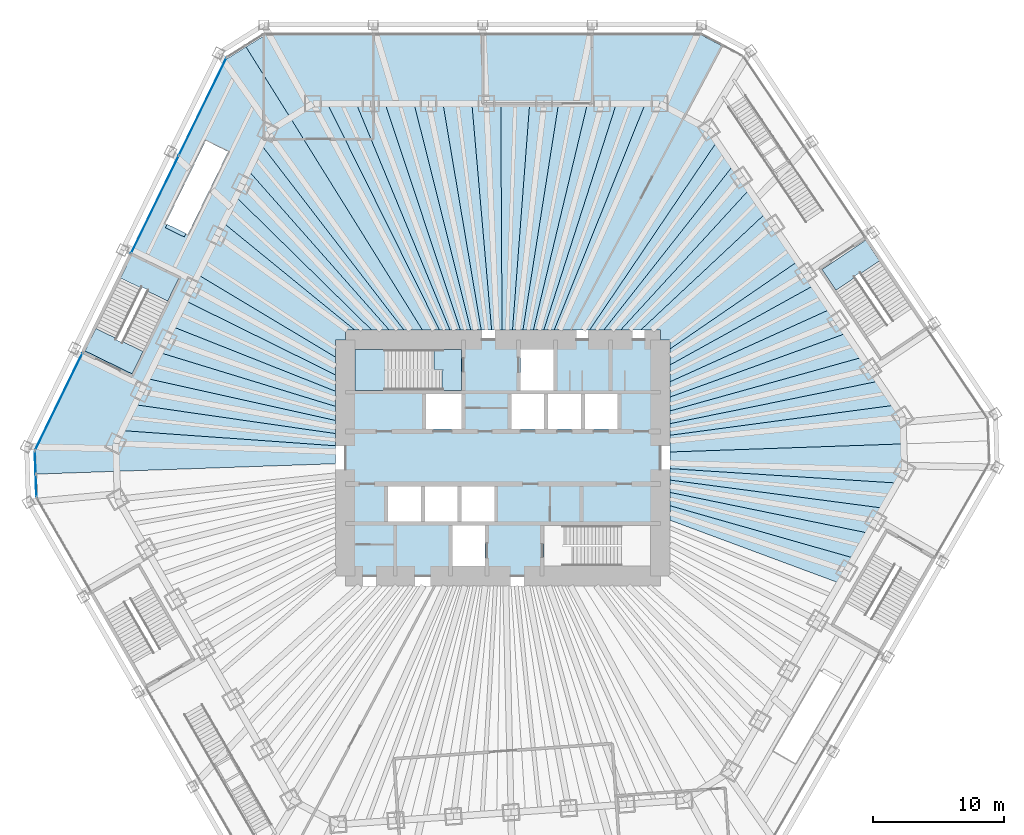
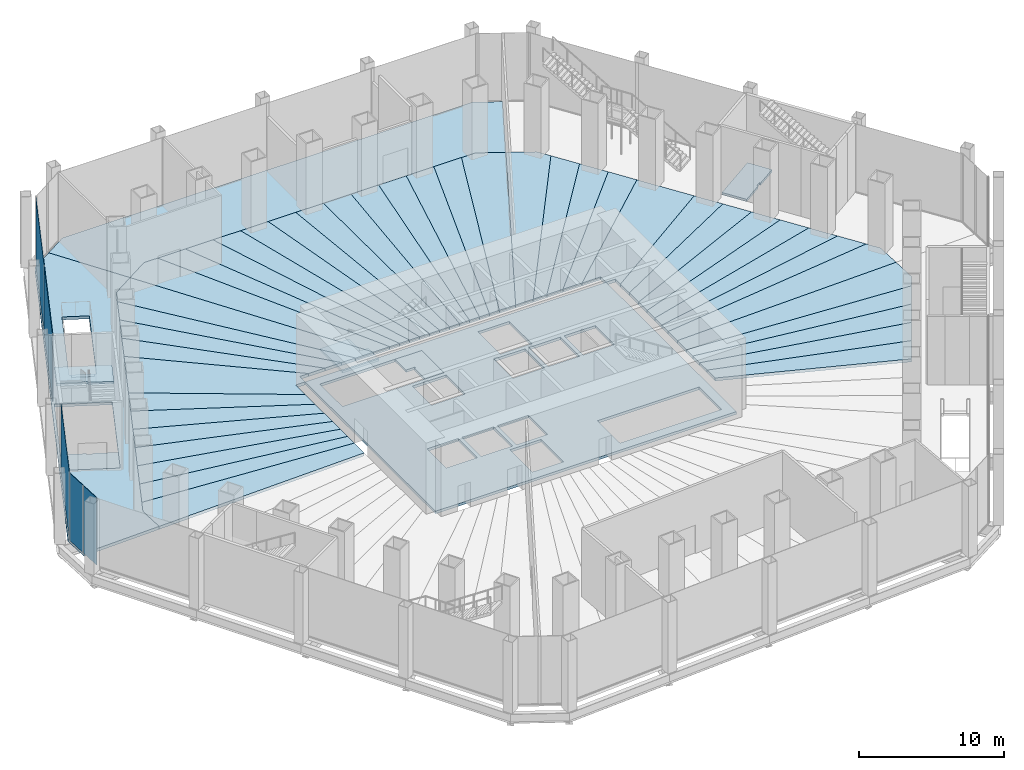
# One storey, part 17 of 23: 51 slabs, 5 plates, 6 elements without a shape of their own.
"""IFC4 building model written with IfcOpenShell, lengths in metres."""

import ifcopenshell
import ifcopenshell.guid

model = None  # the IFC model being written
_history = None  # IfcOwnerHistory: only IFC2X3 demands one
_inside = {}  # id of a spatial element -> (the spatial element, [elements in it])
_under = {}  # id of a project, library or spatial element -> (it, [spatial elements below it])
_declared = {}  # id of a project -> (the project, [libraries it declares])
_typed = {}  # id of a type object -> (the type object, [elements of that type])
_made_of = {}  # id of a material, layer set ... -> (it, [elements and type objects made of it])


def new_model(schema):
    """Start an empty IFC model of exactly this schema.

    Asked for "IFC4X3", IfcOpenShell would pick the latest addendum, in which some entities
    have other attributes; the version numbers below select the first issue.
    IFC2X3 requires an IfcOwnerHistory on every rooted entity: one is made here for all.
    """
    global model, _history
    if schema == "IFC4X3":
        model = ifcopenshell.file(schema_version=(4, 3, 0, 0))
    else:
        model = ifcopenshell.file(schema=schema)
    _inside.clear()
    _under.clear()
    _declared.clear()
    _typed.clear()
    _made_of.clear()
    _history = None
    if model.schema == "IFC2X3":
        org = make("IfcOrganization", Name="unknown")
        user = make(
            "IfcPersonAndOrganization",
            ThePerson=make("IfcPerson", FamilyName="unknown"),
            TheOrganization=org,
        )
        app = make(
            "IfcApplication",
            ApplicationDeveloper=org,
            Version="unknown",
            ApplicationFullName="unknown",
            ApplicationIdentifier="unknown",
        )
        _history = make(
            "IfcOwnerHistory",
            OwningUser=user,
            OwningApplication=app,
            ChangeAction="ADDED",
            CreationDate=0,
        )
    return model


def make(cls, **values):
    """One entity of the class cls with the attributes given. An attribute that is None is left unset."""
    return model.create_entity(
        cls, **{name: value for name, value in values.items() if value is not None}
    )


def rooted(cls, **values):
    """An entity with a GlobalId (a new one), such as an element, a storey or a relation."""
    return make(cls, GlobalId=ifcopenshell.guid.new(), OwnerHistory=_history, **values)


def si_unit(unit_type, name, prefix=None):
    """IfcSIUnit, for example si_unit("LENGTHUNIT", "METRE", prefix="MILLI")."""
    return make("IfcSIUnit", UnitType=unit_type, Prefix=prefix, Name=name)


def assignment(units):
    """IfcUnitAssignment: the units of a project."""
    return None if units is None else make("IfcUnitAssignment", Units=units)


def point(xyz):
    """IfcCartesianPoint."""
    return None if xyz is None else make("IfcCartesianPoint", Coordinates=xyz)


def direction(xyz):
    """IfcDirection."""
    return None if xyz is None else make("IfcDirection", DirectionRatios=xyz)


def frame(location, z_axis=None, x_axis=None):
    """IfcAxis2Placement3D, a coordinate frame: its origin and axes. An axis left out is left unset."""
    return make(
        "IfcAxis2Placement3D",
        Location=point(location),
        Axis=direction(z_axis),
        RefDirection=direction(x_axis),
    )


def frame_2d(location, x_axis=None):
    """IfcAxis2Placement2D, a coordinate frame in the plane: its origin and x axis."""
    return make(
        "IfcAxis2Placement2D", Location=point(location), RefDirection=direction(x_axis)
    )


def origin():
    """The frame at (0, 0, 0) with its axes left unset."""
    return frame((0.0, 0.0, 0.0))


def origin_2d():
    """The frame at (0, 0) in the plane with its x axis left unset."""
    return frame_2d((0.0, 0.0))


def place(relative_to, where):
    """IfcLocalPlacement: puts the frame where relative to a parent placement (None: the world)."""
    return make(
        "IfcLocalPlacement", PlacementRelTo=relative_to, RelativePlacement=where
    )


def context(
    kind, dimensions, precision=None, world=None, true_north=None, identifier=None
):
    """IfcGeometricRepresentationContext, for example the 3D "Model" context."""
    return make(
        "IfcGeometricRepresentationContext",
        ContextIdentifier=identifier,
        ContextType=kind,
        CoordinateSpaceDimension=dimensions,
        Precision=precision,
        WorldCoordinateSystem=world,
        TrueNorth=true_north,
    )


def subcontext(parent, identifier, kind, view, scale=None):
    """IfcGeometricRepresentationSubContext, for example "Body" below "Model"."""
    return make(
        "IfcGeometricRepresentationSubContext",
        ContextIdentifier=identifier,
        ContextType=kind,
        ParentContext=parent,
        TargetScale=scale,
        TargetView=view,
    )


def project(units=None, contexts=None):
    """IfcProject with its units and contexts."""
    return rooted(
        "IfcProject",
        Name="project",
        RepresentationContexts=contexts,
        UnitsInContext=assignment(units),
    )


def spatial(cls, under=None, at=None, **own):
    """A site, building, storey or space (cls), placed at a placement, below another one or the project."""
    s = rooted(cls, ObjectPlacement=at, **own)
    if under is not None:
        _under.setdefault(under.id(), (under, []))[1].append(s)
    return s


def polyline(points):
    """IfcPolyline through the points."""
    return make("IfcPolyline", Points=[point(p) for p in points])


def profile(cls, at=None, kind="AREA", **sizes):
    """A parametric profile (cls). Its sizes go by their IFC names, for example OverallWidth=200.0."""
    return make(cls, ProfileType=kind, Position=at, **sizes)


def rectangle(**sizes):
    """IfcRectangleProfileDef."""
    return profile("IfcRectangleProfileDef", **sizes)


def outline(outer, holes=None, kind="AREA"):
    """IfcArbitraryClosedProfileDef: a profile drawn as a closed curve; with holes, ...WithVoids."""
    if holes is None:
        return make("IfcArbitraryClosedProfileDef", ProfileType=kind, OuterCurve=outer)
    return make(
        "IfcArbitraryProfileDefWithVoids",
        ProfileType=kind,
        OuterCurve=outer,
        InnerCurves=holes,
    )


def extrude(swept, where, along, depth):
    """IfcExtrudedAreaSolid: the profile swept, set in the frame where, extruded along a direction by depth."""
    return make(
        "IfcExtrudedAreaSolid",
        SweptArea=swept,
        Position=where,
        ExtrudedDirection=direction(along),
        Depth=depth,
    )


def shape(context_of_items, identifier, shape_type, items):
    """IfcShapeRepresentation: the items that make up one representation, for example the "Body"."""
    return make(
        "IfcShapeRepresentation",
        ContextOfItems=context_of_items,
        RepresentationIdentifier=identifier,
        RepresentationType=shape_type,
        Items=items,
    )


def material(Name=None, Category=None):
    """IfcMaterial."""
    return make("IfcMaterial", Name=Name, Category=Category)


def layer(
    of_material, thickness, ventilated=None, Name=None, Category=None, Priority=None
):
    """IfcMaterialLayer: one layer of a wall or slab, of a material (None: an air gap)."""
    return make(
        "IfcMaterialLayer",
        Material=of_material,
        LayerThickness=thickness,
        IsVentilated=ventilated,
        Name=Name,
        Category=Category,
        Priority=Priority,
    )


def layer_set(layers, Name=None):
    """IfcMaterialLayerSet."""
    return make("IfcMaterialLayerSet", MaterialLayers=layers, LayerSetName=Name)


def made_of(thing, what):
    """Note that an element or type object is made of a material, layer set ...; save() writes the relation."""
    if what is not None:
        _made_of.setdefault(what.id(), (what, []))[1].append(thing)
    return thing


def type_object(cls, material=None, **own):
    """A type object (cls), such as IfcWallType, which elements share."""
    return made_of(rooted(cls, **own), material)


def element(
    cls,
    number,
    at=None,
    inside=None,
    cuts=None,
    type_object=None,
    material=None,
    context=None,
    identifier="Body",
    shape_type=None,
    held_by="IfcProductDefinitionShape",
    body=None,
    shapes=None,
    **own,
):
    """One element of the class cls, such as IfcWall. Its Tag is "e" and its number.

    at: its placement. inside: the storey or other place that contains it. cuts: it is an
    opening in that element (IfcRelVoidsElement). A single representation is given by context,
    identifier, shape_type and body (its items); several are given by shapes. held_by: the class
    of the entity that holds the representations. save() writes the other relations.
    """
    e = rooted(cls, Tag="e%d" % number, ObjectPlacement=at, **own)
    if body is not None:
        shapes = [shape(context, identifier, shape_type, body)]
    if shapes is not None:
        e.Representation = make(held_by, Representations=shapes)
    if inside is not None:
        _inside.setdefault(inside.id(), (inside, []))[1].append(e)
    if cuts is not None:
        rooted(
            "IfcRelVoidsElement", RelatingBuildingElement=cuts, RelatedOpeningElement=e
        )
    if type_object is not None:
        _typed.setdefault(type_object.id(), (type_object, []))[1].append(e)
    return made_of(e, material)


def aggregate(whole, parts):
    """IfcRelAggregates: a whole, such as a stair, and the parts it consists of."""
    return rooted("IfcRelAggregates", RelatingObject=whole, RelatedObjects=parts)


def save(model, path):
    """Write the relations noted so far, then the file.

    IfcRelAggregates (storeys below a building ...), IfcRelContainedInSpatialStructure (elements
    in a storey), IfcRelDefinesByType, IfcRelAssociatesMaterial and IfcRelDeclares: one each for
    every whole, place, type object, material and project.
    """
    for whole, parts in _under.values():
        aggregate(whole, parts)
    for where, things in _inside.values():
        rooted(
            "IfcRelContainedInSpatialStructure",
            RelatedElements=things,
            RelatingStructure=where,
        )
    for kind, things in _typed.values():
        rooted("IfcRelDefinesByType", RelatedObjects=things, RelatingType=kind)
    for what, things in _made_of.values():
        rooted("IfcRelAssociatesMaterial", RelatedObjects=things, RelatingMaterial=what)
    for by, libraries in _declared.values():
        rooted("IfcRelDeclares", RelatingContext=by, RelatedDefinitions=libraries)
    model.write(path)


model = new_model("IFC4")

# Units and contexts
model_context = context("Model", 3, precision=1e-05, world=origin(), true_north=direction((0.0, 1.0)))
body_context = subcontext(model_context, "Body", "Model", "MODEL_VIEW")
ifc_project = project(units=[si_unit("LENGTHUNIT", "METRE"), si_unit("AREAUNIT", "SQUARE_METRE"), si_unit("VOLUMEUNIT", "CUBIC_METRE"), si_unit("PLANEANGLEUNIT", "RADIAN"), si_unit("MASSUNIT", "GRAM", prefix="KILO")], contexts=[model_context])

# Site, building, storey
site_placement = place(None, origin())
site = spatial("IfcSite", under=ifc_project, at=site_placement, CompositionType="ELEMENT")
building_placement = place(site_placement, origin())
building = spatial("IfcBuilding", under=site, at=building_placement, Name="Qingtian Harvest Tower", CompositionType="ELEMENT")
storey_placement = place(building_placement, frame((0.0, 0.0, 6.0)))
storey = spatial("IfcBuildingStorey", under=building, at=storey_placement, Name="L01", CompositionType="ELEMENT", Elevation=6.0)

# Slabs
ifc_material_1 = material(Name="Concrete fc' 35 MPa", Category="concrete")
ifc_layer_1 = layer(ifc_material_1, 0.25)
ifc_layer_set_1 = layer_set([ifc_layer_1], Name="Composite floor slab FS25 250")
slab_type_1 = type_object("IfcSlabType", Name="Composite floor slab FS25 250", PredefinedType="FLOOR", material=ifc_layer_set_1)
slab_1_placement = place(storey_placement, frame((0.0, 0.0, -0.25)))
element("IfcSlab", 1, at=slab_1_placement, inside=storey, type_object=slab_type_1, Name="Floor slab L01 panel DPN", PredefinedType="FLOOR", context=body_context, shape_type="SweptSolid", body=[
    extrude(outline(polyline([(14.827392578125, 32.39990234375), (16.698486328125, 31.4052734375), (13.8271484375, 26.005126953125), (11.9560546875, 27.0), (-14.471435546875, 27.0), (-16.197509765625, 25.92138671875), (-19.57177734375, 31.321533203125), (-17.845703125, 32.39990234375), (14.827392578125, 32.39990234375)])), origin(), (0.0, 0.0, 1.0), 0.25),
])
slab_2_placement = place(storey_placement, frame((0.0, 0.0, -0.25)))
element("IfcSlab", 2, at=slab_2_placement, inside=storey, type_object=slab_type_1, Name="Floor slab L01 panel DPNW", PredefinedType="FLOOR", context=body_context, shape_type="SweptSolid", body=[
    extrude(outline(polyline([(-19.57177734375, 31.321533203125), (-16.197509765625, 25.92138671875), (-17.923583984375, 24.8427734375), (-29.5087890625, 1.08984375), (-29.434814453125, -1.02783203125), (-35.546875, -1.2412109375), (-35.620849609375, 0.87646484375), (-21.2978515625, 30.242919921875), (-19.57177734375, 31.321533203125)]), holes=[polyline([(-25.583251953125, 17.805908203125), (-25.715087890625, 17.535400390625), (-24.277099609375, 16.833984375), (-24.14501953125, 17.1044921875), (-24.0107421875, 17.037841796875), (-20.937744140625, 23.33837890625), (-22.6455078125, 24.17138671875), (-25.718505859375, 17.870849609375), (-25.583251953125, 17.805908203125)]), polyline([(-31.849609375, 8.15234375), (-28.25439453125, 6.39892578125), (-24.74658203125, 13.5908203125), (-28.341796875, 15.34423828125), (-31.849609375, 8.15234375)])]), origin(), (0.0, 0.0, 1.0), 0.25),
])
slab_3_placement = place(storey_placement, frame((0.0, 0.0, -0.25)))
element("IfcSlab", 3, at=slab_3_placement, inside=storey, type_object=slab_type_1, Name="Floor slab L01 panel D35", PredefinedType="FLOOR", context=body_context, shape_type="SweptSolid", body=[
    extrude(outline(polyline([(12.75, -3.651611328125), (26.764404296875, -7.642822265625), (25.663330078125, -9.550048828125), (12.75, -4.757080078125), (12.75, -3.651611328125)])), origin(), (0.0, 0.0, 1.0), 0.25),
])
slab_4_placement = place(storey_placement, frame((0.0, 0.0, -0.25)))
element("IfcSlab", 4, at=slab_4_placement, inside=storey, type_object=slab_type_1, Name="Floor slab L01 panel D36", PredefinedType="FLOOR", context=body_context, shape_type="SweptSolid", body=[
    extrude(outline(polyline([(12.75, -2.634033203125), (27.865478515625, -5.7353515625), (26.764404296875, -7.642822265625), (12.75, -3.651611328125), (12.75, -2.634033203125)])), origin(), (0.0, 0.0, 1.0), 0.25),
])
slab_5_placement = place(storey_placement, frame((0.0, 0.0, -0.25)))
element("IfcSlab", 5, at=slab_5_placement, inside=storey, type_object=slab_type_1, Name="Floor slab L01 panel D37", PredefinedType="FLOOR", context=body_context, shape_type="SweptSolid", body=[
    extrude(outline(polyline([(12.75, -1.693603515625), (28.966796875, -3.828125), (27.865478515625, -5.7353515625), (12.75, -2.634033203125), (12.75, -1.693603515625)])), origin(), (0.0, 0.0, 1.0), 0.25),
])
slab_6_placement = place(storey_placement, frame((0.0, 0.0, -0.25)))
element("IfcSlab", 6, at=slab_6_placement, inside=storey, type_object=slab_type_1, Name="Floor slab L01 panel D38", PredefinedType="FLOOR", context=body_context, shape_type="SweptSolid", body=[
    extrude(outline(polyline([(12.75, -0.822265625), (30.06787109375, -1.9208984375), (28.966796875, -3.828125), (12.75, -1.693603515625), (12.75, -0.822265625)])), origin(), (0.0, 0.0, 1.0), 0.25),
])
slab_7_placement = place(storey_placement, frame((0.0, 0.0, -0.25)))
element("IfcSlab", 7, at=slab_7_placement, inside=storey, type_object=slab_type_1, Name="Floor slab L01 panel D39", PredefinedType="FLOOR", context=body_context, shape_type="SweptSolid", body=[
    extrude(outline(polyline([(12.75, -0.822265625), (12.75, 0.447265625), (30.54736328125, 1.066650390625), (30.618408203125, -0.96728515625), (30.06787109375, -1.9208984375), (12.75, -0.822265625)])), origin(), (0.0, 0.0, 1.0), 0.25),
])
slab_8_placement = place(storey_placement, frame((0.0, 0.0, -0.25)))
element("IfcSlab", 8, at=slab_8_placement, inside=storey, type_object=slab_type_1, Name="Floor slab L01 panel D40", PredefinedType="FLOOR", context=body_context, shape_type="SweptSolid", body=[
    extrude(outline(polyline([(12.75, 0.447265625), (12.75, 1.72265625), (29.860595703125, 4.013671875), (30.476318359375, 3.100830078125), (30.54736328125, 1.066650390625), (12.75, 0.447265625)])), origin(), (0.0, 0.0, 1.0), 0.25),
])
slab_9_placement = place(storey_placement, frame((0.0, 0.0, -0.25)))
element("IfcSlab", 9, at=slab_9_placement, inside=storey, type_object=slab_type_1, Name="Floor slab L01 panel D41", PredefinedType="FLOOR", context=body_context, shape_type="SweptSolid", body=[
    extrude(outline(polyline([(12.75, 2.610595703125), (28.629150390625, 5.839599609375), (29.860595703125, 4.013671875), (12.75, 1.72265625), (12.75, 2.610595703125)])), origin(), (0.0, 0.0, 1.0), 0.25),
])
slab_10_placement = place(storey_placement, frame((0.0, 0.0, -0.25)))
element("IfcSlab", 10, at=slab_10_placement, inside=storey, type_object=slab_type_1, Name="Floor slab L01 panel D42", PredefinedType="FLOOR", context=body_context, shape_type="SweptSolid", body=[
    extrude(outline(polyline([(12.75, 3.57861328125), (27.3974609375, 7.665283203125), (28.629150390625, 5.839599609375), (12.75, 2.610595703125), (12.75, 3.57861328125)])), origin(), (0.0, 0.0, 1.0), 0.25),
])
slab_11_placement = place(storey_placement, frame((0.0, 0.0, -0.25)))
element("IfcSlab", 11, at=slab_11_placement, inside=storey, type_object=slab_type_1, Name="Floor slab L01 panel D43", PredefinedType="FLOOR", context=body_context, shape_type="SweptSolid", body=[
    extrude(outline(polyline([(12.75, 4.6376953125), (26.166015625, 9.490966796875), (27.3974609375, 7.665283203125), (12.75, 3.57861328125), (12.75, 4.6376953125)])), origin(), (0.0, 0.0, 1.0), 0.25),
])
slab_12_placement = place(storey_placement, frame((0.0, 0.0, -0.25)))
element("IfcSlab", 12, at=slab_12_placement, inside=storey, type_object=slab_type_1, Name="Floor slab L01 panel D44", PredefinedType="FLOOR", context=body_context, shape_type="SweptSolid", body=[
    extrude(outline(polyline([(12.75, 5.8017578125), (24.9345703125, 11.31689453125), (26.166015625, 9.490966796875), (12.75, 4.6376953125), (12.75, 5.8017578125)])), origin(), (0.0, 0.0, 1.0), 0.25),
])
slab_13_placement = place(storey_placement, frame((0.0, 0.0, -0.25)))
element("IfcSlab", 13, at=slab_13_placement, inside=storey, type_object=slab_type_1, Name="Floor slab L01 panel D45", PredefinedType="FLOOR", context=body_context, shape_type="SweptSolid", body=[
    extrude(outline(polyline([(12.75, 7.087158203125), (23.703125, 13.142578125), (24.9345703125, 11.31689453125), (12.75, 5.8017578125), (12.75, 7.087158203125)])), origin(), (0.0, 0.0, 1.0), 0.25),
])
slab_14_placement = place(storey_placement, frame((0.0, 0.0, -0.25)))
element("IfcSlab", 14, at=slab_14_placement, inside=storey, type_object=slab_type_1, Name="Floor slab L01 panel D46", PredefinedType="FLOOR", context=body_context, shape_type="SweptSolid", body=[
    extrude(outline(polyline([(12.75, 8.30615234375), (22.471435546875, 14.968505859375), (23.703125, 13.142578125), (12.75, 7.087158203125), (12.75, 8.30615234375)])), origin(), (0.0, 0.0, 1.0), 0.25),
])
slab_15_placement = place(storey_placement, frame((0.0, 0.0, -0.25)))
element("IfcSlab", 15, at=slab_15_placement, inside=storey, type_object=slab_type_1, Name="Floor slab L01 panel D48", PredefinedType="FLOOR", context=body_context, shape_type="SweptSolid", body=[
    extrude(outline(polyline([(20.008544921875, 18.6201171875), (22.471435546875, 14.968505859375), (12.75, 8.30615234375), (12.75, 9.0), (12.0, 9.0), (12.0, 9.75), (10.51806640625, 9.75), (20.008544921875, 18.6201171875)])), origin(), (0.0, 0.0, 1.0), 0.25),
])
slab_16_placement = place(storey_placement, frame((0.0, 0.0, -0.25)))
element("IfcSlab", 16, at=slab_16_placement, inside=storey, type_object=slab_type_1, Name="Floor slab L01 panel D49", PredefinedType="FLOOR", context=body_context, shape_type="SweptSolid", body=[
    extrude(outline(polyline([(8.985107421875, 9.75), (18.777099609375, 20.44580078125), (20.008544921875, 18.6201171875), (10.51806640625, 9.75), (8.985107421875, 9.75)])), origin(), (0.0, 0.0, 1.0), 0.25),
])
slab_17_placement = place(storey_placement, frame((0.0, 0.0, -0.25)))
element("IfcSlab", 17, at=slab_17_placement, inside=storey, type_object=slab_type_1, Name="Floor slab L01 panel D50", PredefinedType="FLOOR", context=body_context, shape_type="SweptSolid", body=[
    extrude(outline(polyline([(7.705078125, 9.75), (17.54541015625, 22.271728515625), (18.777099609375, 20.44580078125), (8.985107421875, 9.75), (7.705078125, 9.75)])), origin(), (0.0, 0.0, 1.0), 0.25),
])
slab_18_placement = place(storey_placement, frame((0.0, 0.0, -0.25)))
element("IfcSlab", 18, at=slab_18_placement, inside=storey, type_object=slab_type_1, Name="Floor slab L01 panel D51", PredefinedType="FLOOR", context=body_context, shape_type="SweptSolid", body=[
    extrude(outline(polyline([(6.61962890625, 9.75), (16.31396484375, 24.097412109375), (17.54541015625, 22.271728515625), (7.705078125, 9.75), (6.61962890625, 9.75)])), origin(), (0.0, 0.0, 1.0), 0.25),
])
slab_19_placement = place(storey_placement, frame((0.0, 0.0, -0.25)))
element("IfcSlab", 19, at=slab_19_placement, inside=storey, type_object=slab_type_1, Name="Floor slab L01 panel D52", PredefinedType="FLOOR", context=body_context, shape_type="SweptSolid", body=[
    extrude(outline(polyline([(6.61962890625, 9.75), (5.21875, 9.75), (13.8271484375, 26.005126953125), (15.6982421875, 25.01025390625), (16.31396484375, 24.097412109375), (6.61962890625, 9.75)])), origin(), (0.0, 0.0, 1.0), 0.25),
])
slab_20_placement = place(storey_placement, frame((0.0, 0.0, -0.25)))
element("IfcSlab", 20, at=slab_20_placement, inside=storey, type_object=slab_type_1, Name="Floor slab L01 panel D53", PredefinedType="FLOOR", context=body_context, shape_type="SweptSolid", body=[
    extrude(outline(polyline([(3.919921875, 9.75), (10.85498046875, 27.0), (11.9560546875, 27.0), (13.8271484375, 26.005126953125), (5.21875, 9.75), (3.919921875, 9.75)])), origin(), (0.0, 0.0, 1.0), 0.25),
])
slab_21_placement = place(storey_placement, frame((0.0, 0.0, -0.25)))
element("IfcSlab", 21, at=slab_21_placement, inside=storey, type_object=slab_type_1, Name="Floor slab L01 panel D54", PredefinedType="FLOOR", context=body_context, shape_type="SweptSolid", body=[
    extrude(outline(polyline([(3.12451171875, 9.75), (8.652587890625, 27.0), (10.85498046875, 27.0), (3.919921875, 9.75), (3.12451171875, 9.75)])), origin(), (0.0, 0.0, 1.0), 0.25),
])
slab_22_placement = place(storey_placement, frame((0.0, 0.0, -0.25)))
element("IfcSlab", 22, at=slab_22_placement, inside=storey, type_object=slab_type_1, Name="Floor slab L01 panel D55", PredefinedType="FLOOR", context=body_context, shape_type="SweptSolid", body=[
    extrude(outline(polyline([(2.329345703125, 9.75), (6.450439453125, 27.0), (8.652587890625, 27.0), (3.12451171875, 9.75), (2.329345703125, 9.75)])), origin(), (0.0, 0.0, 1.0), 0.25),
])
slab_23_placement = place(storey_placement, frame((0.0, 0.0, -0.25)))
element("IfcSlab", 23, at=slab_23_placement, inside=storey, type_object=slab_type_1, Name="Floor slab L01 panel D56", PredefinedType="FLOOR", context=body_context, shape_type="SweptSolid", body=[
    extrude(outline(polyline([(1.533935546875, 9.75), (4.248046875, 27.0), (6.450439453125, 27.0), (2.329345703125, 9.75), (1.533935546875, 9.75)])), origin(), (0.0, 0.0, 1.0), 0.25),
])
slab_24_placement = place(storey_placement, frame((0.0, 0.0, -0.25)))
element("IfcSlab", 24, at=slab_24_placement, inside=storey, type_object=slab_type_1, Name="Floor slab L01 panel D57", PredefinedType="FLOOR", context=body_context, shape_type="SweptSolid", body=[
    extrude(outline(polyline([(0.73876953125, 9.75), (2.0458984375, 27.0), (4.248046875, 27.0), (1.533935546875, 9.75), (0.73876953125, 9.75)])), origin(), (0.0, 0.0, 1.0), 0.25),
])
slab_25_placement = place(storey_placement, frame((0.0, 0.0, -0.25)))
element("IfcSlab", 25, at=slab_25_placement, inside=storey, type_object=slab_type_1, Name="Floor slab L01 panel D58", PredefinedType="FLOOR", context=body_context, shape_type="SweptSolid", body=[
    extrude(outline(polyline([(-0.056396484375, 9.75), (-0.156494140625, 27.0), (2.0458984375, 27.0), (0.73876953125, 9.75), (-0.056396484375, 9.75)])), origin(), (0.0, 0.0, 1.0), 0.25),
])
slab_26_placement = place(storey_placement, frame((0.0, 0.0, -0.25)))
element("IfcSlab", 26, at=slab_26_placement, inside=storey, type_object=slab_type_1, Name="Floor slab L01 panel D59", PredefinedType="FLOOR", context=body_context, shape_type="SweptSolid", body=[
    extrude(outline(polyline([(-0.851806640625, 9.75), (-2.35888671875, 27.0), (-0.156494140625, 27.0), (-0.056396484375, 9.75), (-0.851806640625, 9.75)])), origin(), (0.0, 0.0, 1.0), 0.25),
])
slab_27_placement = place(storey_placement, frame((0.0, 0.0, -0.25)))
element("IfcSlab", 27, at=slab_27_placement, inside=storey, type_object=slab_type_1, Name="Floor slab L01 panel D60", PredefinedType="FLOOR", context=body_context, shape_type="SweptSolid", body=[
    extrude(outline(polyline([(-1.64697265625, 9.75), (-4.56103515625, 27.0), (-2.35888671875, 27.0), (-0.851806640625, 9.75), (-1.64697265625, 9.75)])), origin(), (0.0, 0.0, 1.0), 0.25),
])
slab_28_placement = place(storey_placement, frame((0.0, 0.0, -0.25)))
element("IfcSlab", 28, at=slab_28_placement, inside=storey, type_object=slab_type_1, Name="Floor slab L01 panel D61", PredefinedType="FLOOR", context=body_context, shape_type="SweptSolid", body=[
    extrude(outline(polyline([(-2.4423828125, 9.75), (-6.763427734375, 27.0), (-4.56103515625, 27.0), (-1.64697265625, 9.75), (-2.4423828125, 9.75)])), origin(), (0.0, 0.0, 1.0), 0.25),
])
slab_29_placement = place(storey_placement, frame((0.0, 0.0, -0.25)))
element("IfcSlab", 29, at=slab_29_placement, inside=storey, type_object=slab_type_1, Name="Floor slab L01 panel D62", PredefinedType="FLOOR", context=body_context, shape_type="SweptSolid", body=[
    extrude(outline(polyline([(-3.237548828125, 9.75), (-8.9658203125, 27.0), (-6.763427734375, 27.0), (-2.4423828125, 9.75), (-3.237548828125, 9.75)])), origin(), (0.0, 0.0, 1.0), 0.25),
])
slab_30_placement = place(storey_placement, frame((0.0, 0.0, -0.25)))
element("IfcSlab", 30, at=slab_30_placement, inside=storey, type_object=slab_type_1, Name="Floor slab L01 panel D63", PredefinedType="FLOOR", context=body_context, shape_type="SweptSolid", body=[
    extrude(outline(polyline([(-4.032958984375, 9.75), (-11.16796875, 27.0), (-8.9658203125, 27.0), (-3.237548828125, 9.75), (-4.032958984375, 9.75)])), origin(), (0.0, 0.0, 1.0), 0.25),
])
slab_31_placement = place(storey_placement, frame((0.0, 0.0, -0.25)))
element("IfcSlab", 31, at=slab_31_placement, inside=storey, type_object=slab_type_1, Name="Floor slab L01 panel D64", PredefinedType="FLOOR", context=body_context, shape_type="SweptSolid", body=[
    extrude(outline(polyline([(-4.828125, 9.75), (-13.370361328125, 27.0), (-11.16796875, 27.0), (-4.032958984375, 9.75), (-4.828125, 9.75)])), origin(), (0.0, 0.0, 1.0), 0.25),
])
slab_32_placement = place(storey_placement, frame((0.0, 0.0, -0.25)))
element("IfcSlab", 32, at=slab_32_placement, inside=storey, type_object=slab_type_1, Name="Floor slab L01 panel D65", PredefinedType="FLOOR", context=body_context, shape_type="SweptSolid", body=[
    extrude(outline(polyline([(-4.828125, 9.75), (-6.130126953125, 9.75), (-16.197509765625, 25.92138671875), (-14.471435546875, 27.0), (-13.370361328125, 27.0), (-4.828125, 9.75)])), origin(), (0.0, 0.0, 1.0), 0.25),
])
slab_33_placement = place(storey_placement, frame((0.0, 0.0, -0.25)))
element("IfcSlab", 33, at=slab_33_placement, inside=storey, type_object=slab_type_1, Name="Floor slab L01 panel D66", PredefinedType="FLOOR", context=body_context, shape_type="SweptSolid", body=[
    extrude(outline(polyline([(-6.130126953125, 9.75), (-7.544677734375, 9.75), (-18.40625, 23.853271484375), (-17.923583984375, 24.8427734375), (-16.197509765625, 25.92138671875), (-6.130126953125, 9.75)])), origin(), (0.0, 0.0, 1.0), 0.25),
])
slab_34_placement = place(storey_placement, frame((0.0, 0.0, -0.25)))
element("IfcSlab", 34, at=slab_34_placement, inside=storey, type_object=slab_type_1, Name="Floor slab L01 panel D67", PredefinedType="FLOOR", context=body_context, shape_type="SweptSolid", body=[
    extrude(outline(polyline([(-8.662109375, 9.75), (-19.37158203125, 21.873779296875), (-18.40625, 23.853271484375), (-7.544677734375, 9.75), (-8.662109375, 9.75)])), origin(), (0.0, 0.0, 1.0), 0.25),
])
slab_35_placement = place(storey_placement, frame((0.0, 0.0, -0.25)))
element("IfcSlab", 35, at=slab_35_placement, inside=storey, type_object=slab_type_1, Name="Floor slab L01 panel D68", PredefinedType="FLOOR", context=body_context, shape_type="SweptSolid", body=[
    extrude(outline(polyline([(-10.00341796875, 9.75), (-20.337158203125, 19.894287109375), (-19.37158203125, 21.873779296875), (-8.662109375, 9.75), (-10.00341796875, 9.75)])), origin(), (0.0, 0.0, 1.0), 0.25),
])
slab_36_placement = place(storey_placement, frame((0.0, 0.0, -0.25)))
element("IfcSlab", 36, at=slab_36_placement, inside=storey, type_object=slab_type_1, Name="Floor slab L01 panel D69", PredefinedType="FLOOR", context=body_context, shape_type="SweptSolid", body=[
    extrude(outline(polyline([(-11.2939453125, 9.75), (-21.302490234375, 17.9150390625), (-20.337158203125, 19.894287109375), (-10.00341796875, 9.75), (-11.2939453125, 9.75)])), origin(), (0.0, 0.0, 1.0), 0.25),
])
slab_37_placement = place(storey_placement, frame((0.0, 0.0, -0.25)))
element("IfcSlab", 37, at=slab_37_placement, inside=storey, type_object=slab_type_1, Name="Floor slab L01 panel D70", PredefinedType="FLOOR", context=body_context, shape_type="SweptSolid", body=[
    extrude(outline(polyline([(-12.0, 9.0), (-12.75, 9.0), (-12.75, 7.67333984375), (-23.2333984375, 13.9560546875), (-21.302490234375, 17.9150390625), (-11.2939453125, 9.75), (-12.0, 9.75), (-12.0, 9.0)])), origin(), (0.0, 0.0, 1.0), 0.25),
])
slab_38_placement = place(storey_placement, frame((0.0, 0.0, -0.25)))
element("IfcSlab", 38, at=slab_38_placement, inside=storey, type_object=slab_type_1, Name="Floor slab L01 panel D72", PredefinedType="FLOOR", context=body_context, shape_type="SweptSolid", body=[
    extrude(outline(polyline([(-12.75, 6.3232421875), (-24.19873046875, 11.976806640625), (-23.2333984375, 13.9560546875), (-12.75, 7.67333984375), (-12.75, 6.3232421875)])), origin(), (0.0, 0.0, 1.0), 0.25),
])
slab_39_placement = place(storey_placement, frame((0.0, 0.0, -0.25)))
element("IfcSlab", 39, at=slab_39_placement, inside=storey, type_object=slab_type_1, Name="Floor slab L01 panel D73", PredefinedType="FLOOR", context=body_context, shape_type="SweptSolid", body=[
    extrude(outline(polyline([(-12.75, 5.076904296875), (-25.164306640625, 9.997314453125), (-24.19873046875, 11.976806640625), (-12.75, 6.3232421875), (-12.75, 5.076904296875)])), origin(), (0.0, 0.0, 1.0), 0.25),
])
slab_40_placement = place(storey_placement, frame((0.0, 0.0, -0.25)))
element("IfcSlab", 40, at=slab_40_placement, inside=storey, type_object=slab_type_1, Name="Floor slab L01 panel D74", PredefinedType="FLOOR", context=body_context, shape_type="SweptSolid", body=[
    extrude(outline(polyline([(-12.75, 3.922607421875), (-26.129638671875, 8.017822265625), (-25.164306640625, 9.997314453125), (-12.75, 5.076904296875), (-12.75, 3.922607421875)])), origin(), (0.0, 0.0, 1.0), 0.25),
])
slab_41_placement = place(storey_placement, frame((0.0, 0.0, -0.25)))
element("IfcSlab", 41, at=slab_41_placement, inside=storey, type_object=slab_type_1, Name="Floor slab L01 panel D75", PredefinedType="FLOOR", context=body_context, shape_type="SweptSolid", body=[
    extrude(outline(polyline([(-12.75, 2.8505859375), (-27.09521484375, 6.038330078125), (-26.129638671875, 8.017822265625), (-12.75, 3.922607421875), (-12.75, 2.8505859375)])), origin(), (0.0, 0.0, 1.0), 0.25),
])
slab_42_placement = place(storey_placement, frame((0.0, 0.0, -0.25)))
element("IfcSlab", 42, at=slab_42_placement, inside=storey, type_object=slab_type_1, Name="Floor slab L01 panel D76", PredefinedType="FLOOR", context=body_context, shape_type="SweptSolid", body=[
    extrude(outline(polyline([(-12.75, 1.8525390625), (-28.060546875, 4.05908203125), (-27.09521484375, 6.038330078125), (-12.75, 2.8505859375), (-12.75, 1.8525390625)])), origin(), (0.0, 0.0, 1.0), 0.25),
])
slab_43_placement = place(storey_placement, frame((0.0, 0.0, -0.25)))
element("IfcSlab", 43, at=slab_43_placement, inside=storey, type_object=slab_type_1, Name="Floor slab L01 panel D77", PredefinedType="FLOOR", context=body_context, shape_type="SweptSolid", body=[
    extrude(outline(polyline([(-12.75, 0.9208984375), (-29.02587890625, 2.07958984375), (-28.060546875, 4.05908203125), (-12.75, 1.8525390625), (-12.75, 0.9208984375)])), origin(), (0.0, 0.0, 1.0), 0.25),
])
slab_44_placement = place(storey_placement, frame((0.0, 0.0, -0.25)))
element("IfcSlab", 44, at=slab_44_placement, inside=storey, type_object=slab_type_1, Name="Floor slab L01 panel D78", PredefinedType="FLOOR", context=body_context, shape_type="SweptSolid", body=[
    extrude(outline(polyline([(-12.75, 0.9208984375), (-12.75, -0.447509765625), (-29.434814453125, -1.02783203125), (-29.5087890625, 1.08984375), (-29.02587890625, 2.07958984375), (-12.75, 0.9208984375)])), origin(), (0.0, 0.0, 1.0), 0.25),
])
ifc_material_2 = material(Name="Concrete fc' 35 MPa", Category="concrete")
ifc_layer_2 = layer(ifc_material_2, 0.219970703125)
ifc_layer_set_2 = layer_set([ifc_layer_2], Name="Core floor slab CS22 220")
slab_type_2 = type_object("IfcSlabType", Name="Core floor slab CS22 220", PredefinedType="FLOOR", material=ifc_layer_set_2)
slab_45_placement = place(storey_placement, frame((0.0, 0.0, -0.219970703125)))
element("IfcSlab", 45, at=slab_45_placement, inside=storey, type_object=slab_type_2, Name="Core floor slab L01", PredefinedType="FLOOR", context=body_context, shape_type="SweptSolid", body=[
    extrude(outline(polyline([(-12.0, -9.0), (12.0, -9.0), (12.0, 9.0), (-12.0, 9.0), (-12.0, -9.0)]), holes=[polyline([(-11.25, 5.14990234375), (-3.14990234375, 5.14990234375), (-3.14990234375, 8.25), (-11.25, 8.25), (-11.25, 5.14990234375)]), polyline([(3.14990234375, -8.25), (11.25, -8.25), (11.25, -5.14990234375), (3.14990234375, -5.14990234375), (3.14990234375, -8.25)]), polyline([(1.35009765625, 5.14990234375), (3.85009765625, 5.14990234375), (3.85009765625, 8.25), (1.35009765625, 8.25), (1.35009765625, 5.14990234375)]), polyline([(-3.85009765625, -8.25), (-1.35009765625, -8.25), (-1.35009765625, -5.14990234375), (-3.85009765625, -5.14990234375), (-3.85009765625, -8.25)]), polyline([(-5.85009765625, 2.199951171875), (-3.14990234375, 2.199951171875), (-3.14990234375, 4.85009765625), (-5.85009765625, 4.85009765625), (-5.85009765625, 2.199951171875)]), polyline([(0.64990234375, 2.199951171875), (3.14990234375, 2.199951171875), (3.14990234375, 4.85009765625), (0.64990234375, 4.85009765625), (0.64990234375, 2.199951171875)]), polyline([(3.449951171875, 2.199951171875), (5.949951171875, 2.199951171875), (5.949951171875, 4.85009765625), (3.449951171875, 4.85009765625), (3.449951171875, 2.199951171875)]), polyline([(6.25, 2.199951171875), (8.75, 2.199951171875), (8.75, 4.85009765625), (6.25, 4.85009765625), (6.25, 2.199951171875)]), polyline([(-8.75, -4.85009765625), (-6.25, -4.85009765625), (-6.25, -2.199951171875), (-8.75, -2.199951171875), (-8.75, -4.85009765625)]), polyline([(-5.949951171875, -4.85009765625), (-3.449951171875, -4.85009765625), (-3.449951171875, -2.199951171875), (-5.949951171875, -2.199951171875), (-5.949951171875, -4.85009765625)]), polyline([(-3.14990234375, -4.85009765625), (-0.64990234375, -4.85009765625), (-0.64990234375, -2.199951171875), (-3.14990234375, -2.199951171875), (-3.14990234375, -4.85009765625)])]), origin(), (0.0, 0.0, 1.0), 0.219970703125),
])
ifc_material_3 = material(Name="Steel deck with terrazzo", Category="steel")
ifc_layer_3 = layer(ifc_material_3, 0.199951171875)
ifc_layer_set_3 = layer_set([ifc_layer_3], Name="Feature stair landing SL3 200")
slab_type_3 = type_object("IfcSlabType", Name="Feature stair landing SL3 200", PredefinedType="LANDING", material=ifc_layer_set_3)
slab_46_placement = place(storey_placement, frame((0.0, 0.0, -0.199951171875)))
element("IfcSlab", 46, at=slab_46_placement, inside=storey, type_object=slab_type_3, Name="Feature stair FS2 top landing", PredefinedType="LANDING", context=body_context, shape_type="SweptSolid", body=[
    extrude(outline(polyline([(-25.583251953125, 17.805908203125), (-25.715087890625, 17.535400390625), (-24.277099609375, 16.833984375), (-24.14501953125, 17.1044921875), (-25.583251953125, 17.805908203125)])), origin(), (0.0, 0.0, 1.0), 0.199951171875),
])

# Curtain wall, plates
ifc_material_4 = material(Name="Bronze-anodised aluminium curtain wall", Category="aluminium")
curtain_wall_type = type_object("IfcCurtainWallType", Name="Curtain wall CW1 podium shopfront", PredefinedType="USERDEFINED", material=ifc_material_4)
curtain_wall_1_placement = place(storey_placement, origin())
curtain_wall_1 = element("IfcCurtainWall", 47, at=curtain_wall_1_placement, inside=storey, type_object=curtain_wall_type, Name="Curtain wall CW1 L01 SWC", ObjectType="RECESSED CURTAIN WALL", PredefinedType="USERDEFINED")
ifc_material_5 = material(Name="Bronze-tinted laminated insulating glass", Category="glass")
ifc_layer_4 = layer(ifc_material_5, 0.030029296875)
ifc_layer_set_4 = layer_set([ifc_layer_4], Name="Glazed panel CWP tinted IGU")
plate_type = type_object("IfcPlateType", Name="Glazed panel CWP tinted IGU", PredefinedType="CURTAIN_PANEL", material=ifc_layer_set_4)
plate_1_placement = place(storey_placement, frame((-35.57763671875, -2.121826171875, 0.06494140625), z_axis=(0.0, 0.0, 1.0), x_axis=(-0.034899496703, 0.999390827019, 0.0)))
plate_1 = element("IfcPlate", 48, at=plate_1_placement, type_object=plate_type, Name="CW1 panel 1.1", PredefinedType="CURTAIN_PANEL", context=body_context, shape_type="SweptSolid", body=[
    extrude(rectangle(XDim=1.69287109375, YDim=0.030029296875, at=origin_2d()), origin(), (0.0, 0.0, 1.0), 5.68505859375),
])
plate_2_placement = place(storey_placement, frame((-35.638916015625, -0.364990234375, 0.06494140625), z_axis=(0.0, 0.0, 1.0), x_axis=(-0.034899496703, 0.999390827019, 0.0)))
plate_2 = element("IfcPlate", 49, at=plate_2_placement, type_object=plate_type, Name="CW1 panel 2.1", PredefinedType="CURTAIN_PANEL", context=body_context, shape_type="SweptSolid", body=[
    extrude(rectangle(XDim=1.69287109375, YDim=0.030029296875, at=origin_2d()), origin(), (0.0, 0.0, 1.0), 5.68505859375),
])
aggregate(curtain_wall_1, [plate_1, plate_2])

# Curtain wall, plate
curtain_wall_2_placement = place(storey_placement, origin())
curtain_wall_2 = element("IfcCurtainWall", 50, at=curtain_wall_2_placement, inside=storey, type_object=curtain_wall_type, Name="Curtain wall CW1 L01 NW0", ObjectType="RECESSED CURTAIN WALL", PredefinedType="USERDEFINED")
plate_3_placement = place(storey_placement, frame((-33.84228515625, 4.294677734375, 0.06494140625), z_axis=(0.0, 0.0, 1.0), x_axis=(0.438371146789, 0.898794046299, 0.0)))
plate_3 = element("IfcPlate", 51, at=plate_3_placement, type_object=plate_type, Name="CW1 panel 1.1", PredefinedType="CURTAIN_PANEL", context=body_context, shape_type="SweptSolid", body=[
    extrude(rectangle(XDim=8.211669921875, YDim=0.030029296875, at=origin_2d()), origin(), (0.0, 0.0, 1.0), 5.68505859375),
])
aggregate(curtain_wall_2, [plate_3])

# Curtain wall, plates
curtain_wall_3_placement = place(storey_placement, origin())
curtain_wall_3 = element("IfcCurtainWall", 52, at=curtain_wall_3_placement, inside=storey, type_object=curtain_wall_type, Name="Curtain wall CW1 L01 NW2-3", ObjectType="RECESSED CURTAIN WALL", PredefinedType="USERDEFINED")
plate_4_placement = place(storey_placement, frame((-26.521728515625, 19.304443359375, 0.06494140625), z_axis=(0.0, 0.0, 1.0), x_axis=(0.438371146789, 0.898794046299, 0.0)))
plate_4 = element("IfcPlate", 53, at=plate_4_placement, type_object=plate_type, Name="CW1 panel 1.1", PredefinedType="CURTAIN_PANEL", context=body_context, shape_type="SweptSolid", body=[
    extrude(rectangle(XDim=8.244384765625, YDim=0.030029296875, at=origin_2d()), origin(), (0.0, 0.0, 1.0), 5.68505859375),
])
plate_5_placement = place(storey_placement, frame((-22.879150390625, 26.772705078125, 0.06494140625), z_axis=(0.0, 0.0, 1.0), x_axis=(0.438371146789, 0.898794046299, 0.0)))
plate_5 = element("IfcPlate", 54, at=plate_5_placement, type_object=plate_type, Name="CW1 panel 2.1", PredefinedType="CURTAIN_PANEL", context=body_context, shape_type="SweptSolid", body=[
    extrude(rectangle(XDim=8.244384765625, YDim=0.030029296875, at=origin_2d()), origin(), (0.0, 0.0, 1.0), 5.68505859375),
])
aggregate(curtain_wall_3, [plate_4, plate_5])

# Stair, slab
ifc_material_6 = material(Name="Concrete fc' 35 MPa", Category="concrete")
stair_type_1 = type_object("IfcStairType", Name="Exit stair PS1 6000", PredefinedType="HALF_TURN_STAIR", material=ifc_material_6)
stair_1_placement = place(storey_placement, origin())
stair_1 = element("IfcStair", 55, at=stair_1_placement, inside=storey, type_object=stair_type_1, Name="Exit stair P1 L01", PredefinedType="HALF_TURN_STAIR")
ifc_material_7 = material(Name="Concrete fc' 35 MPa", Category="concrete")
ifc_layer_5 = layer(ifc_material_7, 0.199951171875)
ifc_layer_set_5 = layer_set([ifc_layer_5], Name="Stair landing SL2 200")
slab_type_4 = type_object("IfcSlabType", Name="Stair landing SL2 200", PredefinedType="LANDING", material=ifc_layer_set_5)
slab_47_placement = place(storey_placement, frame((0.0, 0.0, -0.199951171875)))
slab_47 = element("IfcSlab", 56, at=slab_47_placement, type_object=slab_type_4, Name="P1 landing 1", PredefinedType="LANDING", context=body_context, shape_type="SweptSolid", body=[
    extrude(outline(polyline([(28.712158203125, 15.015625), (27.2197265625, 14.009033203125), (27.163818359375, 14.091796875), (26.832275390625, 13.8681640625), (26.88818359375, 13.785400390625), (25.39599609375, 12.77880859375), (24.33349609375, 14.35400390625), (27.649658203125, 16.5908203125), (28.712158203125, 15.015625)])), origin(), (0.0, 0.0, 1.0), 0.199951171875),
])
aggregate(stair_1, [slab_47])

# Stair, slabs
stair_2_placement = place(storey_placement, origin())
stair_2 = element("IfcStair", 57, at=stair_2_placement, inside=storey, type_object=stair_type_1, Name="Exit stair P4 L01", PredefinedType="HALF_TURN_STAIR")
slab_48_placement = place(storey_placement, frame((0.0, 0.0, -0.199951171875)))
slab_48 = element("IfcSlab", 58, at=slab_48_placement, type_object=slab_type_4, Name="P4 landing 1", PredefinedType="LANDING", context=body_context, shape_type="SweptSolid", body=[
    extrude(outline(polyline([(-31.0166015625, 9.860107421875), (-29.39892578125, 9.071044921875), (-29.442626953125, 8.981201171875), (-29.083251953125, 8.805908203125), (-29.039306640625, 8.895751953125), (-27.421630859375, 8.106689453125), (-28.25439453125, 6.39892578125), (-31.849609375, 8.15234375), (-31.0166015625, 9.860107421875)])), origin(), (0.0, 0.0, 1.0), 0.199951171875),
])
slab_49_placement = place(storey_placement, frame((0.0, 0.0, 2.800048828125)))
slab_49 = element("IfcSlab", 59, at=slab_49_placement, type_object=slab_type_4, Name="P4 landing 2", PredefinedType="LANDING", context=body_context, shape_type="SweptSolid", body=[
    extrude(outline(polyline([(-24.672119140625, 13.74365234375), (-25.54541015625, 11.953369140625), (-27.1630859375, 12.742431640625), (-27.119384765625, 12.832275390625), (-27.478759765625, 13.0078125), (-27.522705078125, 12.91796875), (-29.140380859375, 13.70703125), (-28.267333984375, 15.4970703125), (-24.672119140625, 13.74365234375)])), origin(), (0.0, 0.0, 1.0), 0.199951171875),
])
aggregate(stair_2, [slab_48, slab_49])

ifc_material_8 = material(Name="Concrete fc' 35 MPa", Category="concrete")
stair_type_2 = type_object("IfcStairType", Name="Special stair ST1 6000", PredefinedType="HALF_TURN_STAIR", material=ifc_material_8)
stair_3_placement = place(storey_placement, origin())
stair_3 = element("IfcStair", 60, at=stair_3_placement, inside=storey, type_object=stair_type_2, Name="Special stair S1 L01", PredefinedType="HALF_TURN_STAIR")
slab_50_placement = place(storey_placement, frame((0.0, 0.0, -0.199951171875)))
slab_50 = element("IfcSlab", 61, at=slab_50_placement, type_object=slab_type_4, Name="S1 landing 1", PredefinedType="LANDING", context=body_context, shape_type="SweptSolid", body=[
    extrude(outline(polyline([(-4.64990234375, 5.14990234375), (-4.64990234375, 6.64990234375), (-4.550048828125, 6.64990234375), (-4.550048828125, 6.75), (-5.260009765625, 6.75), (-5.260009765625, 8.25), (-3.14990234375, 8.25), (-3.14990234375, 5.14990234375), (-4.64990234375, 5.14990234375)])), origin(), (0.0, 0.0, 1.0), 0.199951171875),
])
slab_51_placement = place(storey_placement, frame((0.0, 0.0, 2.800048828125)))
slab_51 = element("IfcSlab", 62, at=slab_51_placement, type_object=slab_type_4, Name="S1 landing 2", PredefinedType="LANDING", context=body_context, shape_type="SweptSolid", body=[
    extrude(outline(polyline([(-8.320068359375, 5.14990234375), (-11.25, 5.14990234375), (-11.25, 8.25), (-8.929931640625, 8.25), (-8.929931640625, 6.75), (-9.030029296875, 6.75), (-9.030029296875, 6.64990234375), (-8.320068359375, 6.64990234375), (-8.320068359375, 5.14990234375)])), origin(), (0.0, 0.0, 1.0), 0.199951171875),
])
aggregate(stair_3, [slab_50, slab_51])

save(model, "model.ifc")
